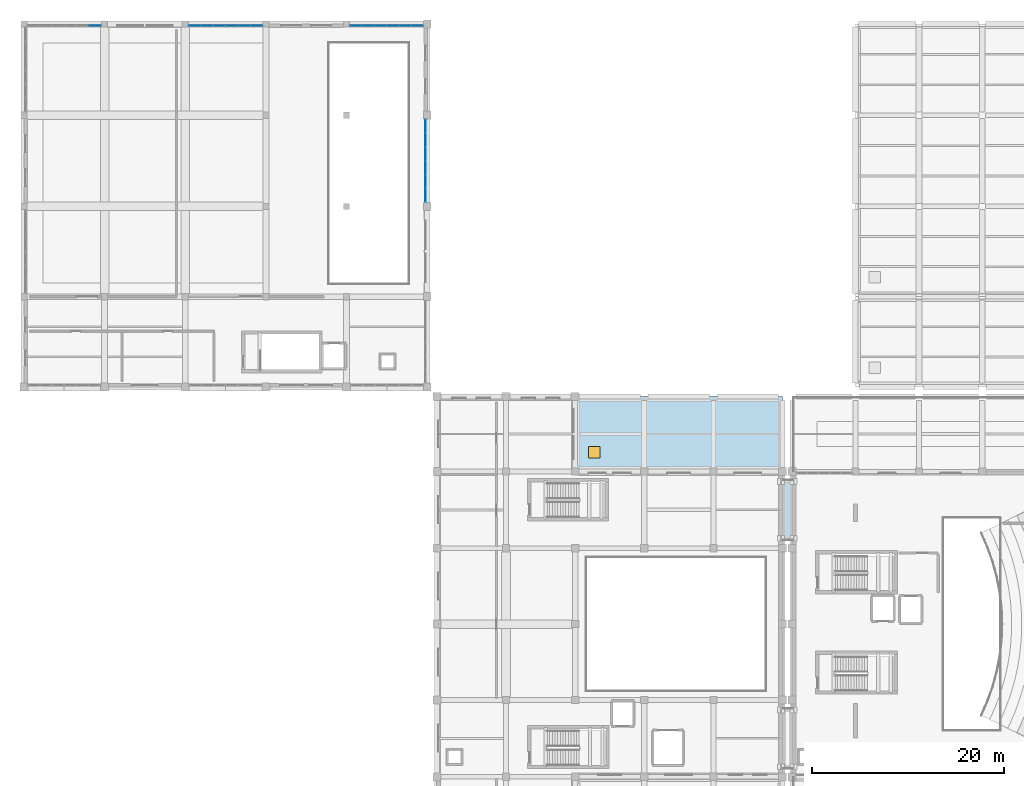
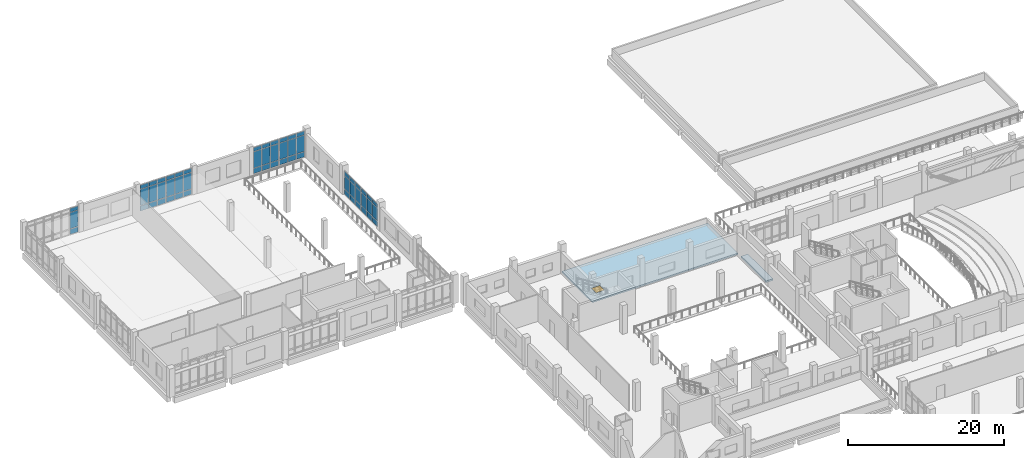
# One storey, part 32 of 54: 57 plates, 2 slabs, 1 window, 1 opening, 7 elements without a shape of their own.
"""IFC4 building model written with IfcOpenShell, lengths in metres."""

import ifcopenshell
import ifcopenshell.guid

model = None  # the IFC model being written
_history = None  # IfcOwnerHistory: only IFC2X3 demands one
_inside = {}  # id of a spatial element -> (the spatial element, [elements in it])
_under = {}  # id of a project, library or spatial element -> (it, [spatial elements below it])
_declared = {}  # id of a project -> (the project, [libraries it declares])
_typed = {}  # id of a type object -> (the type object, [elements of that type])
_made_of = {}  # id of a material, layer set ... -> (it, [elements and type objects made of it])


def new_model(schema):
    """Start an empty IFC model of exactly this schema.

    Asked for "IFC4X3", IfcOpenShell would pick the latest addendum, in which some entities
    have other attributes; the version numbers below select the first issue.
    IFC2X3 requires an IfcOwnerHistory on every rooted entity: one is made here for all.
    """
    global model, _history
    if schema == "IFC4X3":
        model = ifcopenshell.file(schema_version=(4, 3, 0, 0))
    else:
        model = ifcopenshell.file(schema=schema)
    _inside.clear()
    _under.clear()
    _declared.clear()
    _typed.clear()
    _made_of.clear()
    _history = None
    if model.schema == "IFC2X3":
        org = make("IfcOrganization", Name="unknown")
        user = make(
            "IfcPersonAndOrganization",
            ThePerson=make("IfcPerson", FamilyName="unknown"),
            TheOrganization=org,
        )
        app = make(
            "IfcApplication",
            ApplicationDeveloper=org,
            Version="unknown",
            ApplicationFullName="unknown",
            ApplicationIdentifier="unknown",
        )
        _history = make(
            "IfcOwnerHistory",
            OwningUser=user,
            OwningApplication=app,
            ChangeAction="ADDED",
            CreationDate=0,
        )
    return model


def make(cls, **values):
    """One entity of the class cls with the attributes given. An attribute that is None is left unset."""
    return model.create_entity(
        cls, **{name: value for name, value in values.items() if value is not None}
    )


def rooted(cls, **values):
    """An entity with a GlobalId (a new one), such as an element, a storey or a relation."""
    return make(cls, GlobalId=ifcopenshell.guid.new(), OwnerHistory=_history, **values)


def si_unit(unit_type, name, prefix=None):
    """IfcSIUnit, for example si_unit("LENGTHUNIT", "METRE", prefix="MILLI")."""
    return make("IfcSIUnit", UnitType=unit_type, Prefix=prefix, Name=name)


def assignment(units):
    """IfcUnitAssignment: the units of a project."""
    return None if units is None else make("IfcUnitAssignment", Units=units)


def point(xyz):
    """IfcCartesianPoint."""
    return None if xyz is None else make("IfcCartesianPoint", Coordinates=xyz)


def direction(xyz):
    """IfcDirection."""
    return None if xyz is None else make("IfcDirection", DirectionRatios=xyz)


def frame(location, z_axis=None, x_axis=None):
    """IfcAxis2Placement3D, a coordinate frame: its origin and axes. An axis left out is left unset."""
    return make(
        "IfcAxis2Placement3D",
        Location=point(location),
        Axis=direction(z_axis),
        RefDirection=direction(x_axis),
    )


def frame_2d(location, x_axis=None):
    """IfcAxis2Placement2D, a coordinate frame in the plane: its origin and x axis."""
    return make(
        "IfcAxis2Placement2D", Location=point(location), RefDirection=direction(x_axis)
    )


def origin():
    """The frame at (0, 0, 0) with its axes left unset."""
    return frame((0.0, 0.0, 0.0))


def origin_2d():
    """The frame at (0, 0) in the plane with its x axis left unset."""
    return frame_2d((0.0, 0.0))


def place(relative_to, where):
    """IfcLocalPlacement: puts the frame where relative to a parent placement (None: the world)."""
    return make(
        "IfcLocalPlacement", PlacementRelTo=relative_to, RelativePlacement=where
    )


def context(
    kind, dimensions, precision=None, world=None, true_north=None, identifier=None
):
    """IfcGeometricRepresentationContext, for example the 3D "Model" context."""
    return make(
        "IfcGeometricRepresentationContext",
        ContextIdentifier=identifier,
        ContextType=kind,
        CoordinateSpaceDimension=dimensions,
        Precision=precision,
        WorldCoordinateSystem=world,
        TrueNorth=true_north,
    )


def subcontext(parent, identifier, kind, view, scale=None):
    """IfcGeometricRepresentationSubContext, for example "Body" below "Model"."""
    return make(
        "IfcGeometricRepresentationSubContext",
        ContextIdentifier=identifier,
        ContextType=kind,
        ParentContext=parent,
        TargetScale=scale,
        TargetView=view,
    )


def project(units=None, contexts=None):
    """IfcProject with its units and contexts."""
    return rooted(
        "IfcProject",
        Name="project",
        RepresentationContexts=contexts,
        UnitsInContext=assignment(units),
    )


def spatial(cls, under=None, at=None, **own):
    """A site, building, storey or space (cls), placed at a placement, below another one or the project."""
    s = rooted(cls, ObjectPlacement=at, **own)
    if under is not None:
        _under.setdefault(under.id(), (under, []))[1].append(s)
    return s


def polyline(points):
    """IfcPolyline through the points."""
    return make("IfcPolyline", Points=[point(p) for p in points])


def profile(cls, at=None, kind="AREA", **sizes):
    """A parametric profile (cls). Its sizes go by their IFC names, for example OverallWidth=200.0."""
    return make(cls, ProfileType=kind, Position=at, **sizes)


def rectangle(**sizes):
    """IfcRectangleProfileDef."""
    return profile("IfcRectangleProfileDef", **sizes)


def outline(outer, holes=None, kind="AREA"):
    """IfcArbitraryClosedProfileDef: a profile drawn as a closed curve; with holes, ...WithVoids."""
    if holes is None:
        return make("IfcArbitraryClosedProfileDef", ProfileType=kind, OuterCurve=outer)
    return make(
        "IfcArbitraryProfileDefWithVoids",
        ProfileType=kind,
        OuterCurve=outer,
        InnerCurves=holes,
    )


def extrude(swept, where, along, depth):
    """IfcExtrudedAreaSolid: the profile swept, set in the frame where, extruded along a direction by depth."""
    return make(
        "IfcExtrudedAreaSolid",
        SweptArea=swept,
        Position=where,
        ExtrudedDirection=direction(along),
        Depth=depth,
    )


def shape(context_of_items, identifier, shape_type, items):
    """IfcShapeRepresentation: the items that make up one representation, for example the "Body"."""
    return make(
        "IfcShapeRepresentation",
        ContextOfItems=context_of_items,
        RepresentationIdentifier=identifier,
        RepresentationType=shape_type,
        Items=items,
    )


def material(Name=None, Category=None):
    """IfcMaterial."""
    return make("IfcMaterial", Name=Name, Category=Category)


def layer(
    of_material, thickness, ventilated=None, Name=None, Category=None, Priority=None
):
    """IfcMaterialLayer: one layer of a wall or slab, of a material (None: an air gap)."""
    return make(
        "IfcMaterialLayer",
        Material=of_material,
        LayerThickness=thickness,
        IsVentilated=ventilated,
        Name=Name,
        Category=Category,
        Priority=Priority,
    )


def layer_set(layers, Name=None):
    """IfcMaterialLayerSet."""
    return make("IfcMaterialLayerSet", MaterialLayers=layers, LayerSetName=Name)


def made_of(thing, what):
    """Note that an element or type object is made of a material, layer set ...; save() writes the relation."""
    if what is not None:
        _made_of.setdefault(what.id(), (what, []))[1].append(thing)
    return thing


def type_object(cls, material=None, **own):
    """A type object (cls), such as IfcWallType, which elements share."""
    return made_of(rooted(cls, **own), material)


def element(
    cls,
    number,
    at=None,
    inside=None,
    cuts=None,
    type_object=None,
    material=None,
    context=None,
    identifier="Body",
    shape_type=None,
    held_by="IfcProductDefinitionShape",
    body=None,
    shapes=None,
    **own,
):
    """One element of the class cls, such as IfcWall. Its Tag is "e" and its number.

    at: its placement. inside: the storey or other place that contains it. cuts: it is an
    opening in that element (IfcRelVoidsElement). A single representation is given by context,
    identifier, shape_type and body (its items); several are given by shapes. held_by: the class
    of the entity that holds the representations. save() writes the other relations.
    """
    e = rooted(cls, Tag="e%d" % number, ObjectPlacement=at, **own)
    if body is not None:
        shapes = [shape(context, identifier, shape_type, body)]
    if shapes is not None:
        e.Representation = make(held_by, Representations=shapes)
    if inside is not None:
        _inside.setdefault(inside.id(), (inside, []))[1].append(e)
    if cuts is not None:
        rooted(
            "IfcRelVoidsElement", RelatingBuildingElement=cuts, RelatedOpeningElement=e
        )
    if type_object is not None:
        _typed.setdefault(type_object.id(), (type_object, []))[1].append(e)
    return made_of(e, material)


def fill(opening, filler):
    """IfcRelFillsElement: the door or window that sits in an opening."""
    return rooted(
        "IfcRelFillsElement",
        RelatingOpeningElement=opening,
        RelatedBuildingElement=filler,
    )


def aggregate(whole, parts):
    """IfcRelAggregates: a whole, such as a stair, and the parts it consists of."""
    return rooted("IfcRelAggregates", RelatingObject=whole, RelatedObjects=parts)


def save(model, path):
    """Write the relations noted so far, then the file.

    IfcRelAggregates (storeys below a building ...), IfcRelContainedInSpatialStructure (elements
    in a storey), IfcRelDefinesByType, IfcRelAssociatesMaterial and IfcRelDeclares: one each for
    every whole, place, type object, material and project.
    """
    for whole, parts in _under.values():
        aggregate(whole, parts)
    for where, things in _inside.values():
        rooted(
            "IfcRelContainedInSpatialStructure",
            RelatedElements=things,
            RelatingStructure=where,
        )
    for kind, things in _typed.values():
        rooted("IfcRelDefinesByType", RelatedObjects=things, RelatingType=kind)
    for what, things in _made_of.values():
        rooted("IfcRelAssociatesMaterial", RelatedObjects=things, RelatingMaterial=what)
    for by, libraries in _declared.values():
        rooted("IfcRelDeclares", RelatingContext=by, RelatedDefinitions=libraries)
    model.write(path)


model = new_model("IFC4")

# Units and contexts
model_context = context("Model", 3, precision=1e-05, world=origin(), true_north=direction((0.0, 1.0)))
body_context = subcontext(model_context, "Body", "Model", "MODEL_VIEW")
ifc_project = project(units=[si_unit("LENGTHUNIT", "METRE"), si_unit("AREAUNIT", "SQUARE_METRE"), si_unit("VOLUMEUNIT", "CUBIC_METRE"), si_unit("PLANEANGLEUNIT", "RADIAN"), si_unit("MASSUNIT", "GRAM", prefix="KILO")], contexts=[model_context])

# Site, building, storey
site_placement = place(None, origin())
site = spatial("IfcSite", under=ifc_project, at=site_placement, CompositionType="ELEMENT")
building_placement = place(site_placement, origin())
building = spatial("IfcBuilding", under=site, at=building_placement, Name="Kelarvand Opera House", CompositionType="ELEMENT")
storey_placement = place(building_placement, frame((0.0, 0.0, 15.0)))
storey = spatial("IfcBuildingStorey", under=building, at=storey_placement, Name="L03", CompositionType="ELEMENT", Elevation=15.0)

# Slab, opening, window
ifc_material_1 = material(Name="Concrete C35/45", Category="concrete")
ifc_layer_1 = layer(ifc_material_1, 0.219970703125, Name="Concrete C35/45", Category="concrete")
ifc_layer_set_1 = layer_set([ifc_layer_1], Name="Concrete C35/45")
slab_type_1 = type_object("IfcSlabType", Name="Flat Structural Roof Slab 220", PredefinedType="ROOF", material=ifc_layer_set_1)
slab_1_placement = place(storey_placement, frame((0.0, 0.0, -0.219970703125)))
slab_1 = element("IfcSlab", 1, at=slab_1_placement, inside=storey, type_object=slab_type_1, Name="V2 Flat Roof Slab L03 2", PredefinedType="ROOF", context=body_context, shape_type="SweptSolid", body=[
    extrude(outline(polyline([(66.39990234375, 78.39990234375), (88.0, 78.39990234375), (88.0, 86.199951171875), (66.39990234375, 86.199951171875), (66.39990234375, 78.39990234375)])), origin(), (0.0, 0.0, 1.0), 0.219970703125),
])
opening_placement = place(slab_1_placement, frame((68.39990234375, 80.39990234375, 0.0)))
opening = element("IfcOpeningElement", 2, at=opening_placement, cuts=slab_1, Name="Opening RH-01", PredefinedType="OPENING", context=body_context, shape_type="SweptSolid", body=[
    extrude(rectangle(XDim=1.199951171875, YDim=1.199951171875, at=origin_2d()), frame((0.0, 0.0, -0.010009765625)), (0.0, 0.0, 1.0), 0.239990234375),
])
ifc_material_2 = material(Name="Insulated aluminium roof access hatch", Category="aluminium")
window_type = type_object("IfcWindowType", Name="Insulated Flat-Roof Maintenance Access Hatch 1200x1200", PartitioningType="SINGLE_PANEL", PredefinedType="SKYLIGHT", material=ifc_material_2)
window_placement = place(opening_placement, frame((0.0, 0.0, 0.169921875)))
window = element("IfcWindow", 3, at=window_placement, inside=storey, type_object=window_type, Name="V2 Maintenance Roof Hatch 3", OverallHeight=1.199951171875, OverallWidth=1.199951171875, PartitioningType="SINGLE_PANEL", PredefinedType="SKYLIGHT", context=body_context, shape_type="SweptSolid", body=[
    extrude(rectangle(XDim=1.199951171875, YDim=1.199951171875, at=origin_2d()), origin(), (0.0, 0.0, 1.0), 0.050048828125),
])
fill(opening, window)

# Curtain wall, plates
ifc_material_3 = material(Name="Thermally broken aluminium and low-E glazing", Category="aluminium")
ifc_layer_2 = layer(ifc_material_3, 0.179931640625, Name="Thermally broken aluminium and low-E glazing", Category="aluminium")
ifc_layer_set_2 = layer_set([ifc_layer_2], Name="Thermally broken aluminium and low-E glazing")
curtain_wall_type_1 = type_object("IfcCurtainWallType", Name="Unitised Low-E Curtain Wall 4326x3717 Mod 1350 CWF-20", PredefinedType="USERDEFINED", material=ifc_layer_set_2)
curtain_wall_1_placement = place(storey_placement, origin())
curtain_wall_1 = element("IfcCurtainWall", 4, at=curtain_wall_1_placement, inside=storey, type_object=curtain_wall_type_1, Name="V3 L03 Curtain Wall CWF-20 (87)", ObjectType="UNITISED CURTAIN WALL", PredefinedType="USERDEFINED")
ifc_material_4 = material(Name="Low-E laminated double glazing", Category="glass")
ifc_layer_3 = layer(ifc_material_4, 0.031982421875, Name="Low-E laminated double glazing", Category="glass")
ifc_layer_set_3 = layer_set([ifc_layer_3], Name="Low-E laminated double glazing")
plate_type = type_object("IfcPlateType", Name="Low-E Argon Double Glazed Curtain Panel 32mm", PredefinedType="CURTAIN_PANEL", material=ifc_layer_set_3)
plate_1_placement = place(storey_placement, frame((50.820068359375, 114.3427734375, 0.06494140625), z_axis=(0.0, 0.0, 1.0), x_axis=(0.0, -1.0, 0.0)))
plate_1 = element("IfcPlate", 5, at=plate_1_placement, type_object=plate_type, Name="CWF-20 panel 1.1", PredefinedType="CURTAIN_PANEL", context=body_context, shape_type="SweptSolid", body=[
    extrude(rectangle(XDim=1.344482421875, YDim=0.031982421875, at=origin_2d()), origin(), (0.0, 0.0, 1.0), 0.802490234375),
])
plate_2_placement = place(storey_placement, frame((50.820068359375, 114.3427734375, 0.9326171875), z_axis=(0.0, 0.0, 1.0), x_axis=(0.0, -1.0, 0.0)))
plate_2 = element("IfcPlate", 6, at=plate_2_placement, type_object=plate_type, Name="CWF-20 panel 1.2", PredefinedType="CURTAIN_PANEL", context=body_context, shape_type="SweptSolid", body=[
    extrude(rectangle(XDim=1.344482421875, YDim=0.031982421875, at=origin_2d()), origin(), (0.0, 0.0, 1.0), 2.052001953125),
])
plate_3_placement = place(storey_placement, frame((50.820068359375, 114.3427734375, 3.04931640625), z_axis=(0.0, 0.0, 1.0), x_axis=(0.0, -1.0, 0.0)))
plate_3 = element("IfcPlate", 7, at=plate_3_placement, type_object=plate_type, Name="CWF-20 panel 1.3", PredefinedType="CURTAIN_PANEL", context=body_context, shape_type="SweptSolid", body=[
    extrude(rectangle(XDim=1.344482421875, YDim=0.031982421875, at=origin_2d()), origin(), (0.0, 0.0, 1.0), 0.602783203125),
])
plate_4_placement = place(storey_placement, frame((50.820068359375, 112.9169921875, 0.06494140625), z_axis=(0.0, 0.0, 1.0), x_axis=(0.0, -1.0, 0.0)))
plate_4 = element("IfcPlate", 8, at=plate_4_placement, type_object=plate_type, Name="CWF-20 panel 2.1", PredefinedType="CURTAIN_PANEL", context=body_context, shape_type="SweptSolid", body=[
    extrude(rectangle(XDim=1.376953125, YDim=0.031982421875, at=origin_2d()), origin(), (0.0, 0.0, 1.0), 0.802490234375),
])
plate_5_placement = place(storey_placement, frame((50.820068359375, 112.9169921875, 0.9326171875), z_axis=(0.0, 0.0, 1.0), x_axis=(0.0, -1.0, 0.0)))
plate_5 = element("IfcPlate", 9, at=plate_5_placement, type_object=plate_type, Name="CWF-20 panel 2.2", PredefinedType="CURTAIN_PANEL", context=body_context, shape_type="SweptSolid", body=[
    extrude(rectangle(XDim=1.376953125, YDim=0.031982421875, at=origin_2d()), origin(), (0.0, 0.0, 1.0), 2.052001953125),
])
plate_6_placement = place(storey_placement, frame((50.820068359375, 112.9169921875, 3.04931640625), z_axis=(0.0, 0.0, 1.0), x_axis=(0.0, -1.0, 0.0)))
plate_6 = element("IfcPlate", 10, at=plate_6_placement, type_object=plate_type, Name="CWF-20 panel 2.3", PredefinedType="CURTAIN_PANEL", context=body_context, shape_type="SweptSolid", body=[
    extrude(rectangle(XDim=1.376953125, YDim=0.031982421875, at=origin_2d()), origin(), (0.0, 0.0, 1.0), 0.602783203125),
])
plate_7_placement = place(storey_placement, frame((50.820068359375, 111.4912109375, 0.06494140625), z_axis=(0.0, 0.0, 1.0), x_axis=(0.0, -1.0, 0.0)))
plate_7 = element("IfcPlate", 11, at=plate_7_placement, type_object=plate_type, Name="CWF-20 panel 3.1", PredefinedType="CURTAIN_PANEL", context=body_context, shape_type="SweptSolid", body=[
    extrude(rectangle(XDim=1.344482421875, YDim=0.031982421875, at=origin_2d()), origin(), (0.0, 0.0, 1.0), 0.802490234375),
])
plate_8_placement = place(storey_placement, frame((50.820068359375, 111.4912109375, 0.9326171875), z_axis=(0.0, 0.0, 1.0), x_axis=(0.0, -1.0, 0.0)))
plate_8 = element("IfcPlate", 12, at=plate_8_placement, type_object=plate_type, Name="CWF-20 panel 3.2", PredefinedType="CURTAIN_PANEL", context=body_context, shape_type="SweptSolid", body=[
    extrude(rectangle(XDim=1.344482421875, YDim=0.031982421875, at=origin_2d()), origin(), (0.0, 0.0, 1.0), 2.052001953125),
])
plate_9_placement = place(storey_placement, frame((50.820068359375, 111.4912109375, 3.04931640625), z_axis=(0.0, 0.0, 1.0), x_axis=(0.0, -1.0, 0.0)))
plate_9 = element("IfcPlate", 13, at=plate_9_placement, type_object=plate_type, Name="CWF-20 panel 3.3", PredefinedType="CURTAIN_PANEL", context=body_context, shape_type="SweptSolid", body=[
    extrude(rectangle(XDim=1.344482421875, YDim=0.031982421875, at=origin_2d()), origin(), (0.0, 0.0, 1.0), 0.602783203125),
])
aggregate(curtain_wall_1, [plate_1, plate_2, plate_3, plate_4, plate_5, plate_6, plate_7, plate_8, plate_9])

curtain_wall_2_placement = place(storey_placement, origin())
curtain_wall_2 = element("IfcCurtainWall", 14, at=curtain_wall_2_placement, inside=storey, type_object=curtain_wall_type_1, Name="V3 L03 Curtain Wall CWF-20 (88)", ObjectType="UNITISED CURTAIN WALL", PredefinedType="USERDEFINED")
plate_10_placement = place(storey_placement, frame((50.820068359375, 110.011962890625, 0.06494140625), z_axis=(0.0, 0.0, 1.0), x_axis=(0.0, -1.0, 0.0)))
plate_10 = element("IfcPlate", 15, at=plate_10_placement, type_object=plate_type, Name="CWF-20 panel 1.1", PredefinedType="CURTAIN_PANEL", context=body_context, shape_type="SweptSolid", body=[
    extrude(rectangle(XDim=1.345947265625, YDim=0.031982421875, at=origin_2d()), origin(), (0.0, 0.0, 1.0), 0.802490234375),
])
plate_11_placement = place(storey_placement, frame((50.820068359375, 110.011962890625, 0.9326171875), z_axis=(0.0, 0.0, 1.0), x_axis=(0.0, -1.0, 0.0)))
plate_11 = element("IfcPlate", 16, at=plate_11_placement, type_object=plate_type, Name="CWF-20 panel 1.2", PredefinedType="CURTAIN_PANEL", context=body_context, shape_type="SweptSolid", body=[
    extrude(rectangle(XDim=1.345947265625, YDim=0.031982421875, at=origin_2d()), origin(), (0.0, 0.0, 1.0), 2.052001953125),
])
plate_12_placement = place(storey_placement, frame((50.820068359375, 110.011962890625, 3.04931640625), z_axis=(0.0, 0.0, 1.0), x_axis=(0.0, -1.0, 0.0)))
plate_12 = element("IfcPlate", 17, at=plate_12_placement, type_object=plate_type, Name="CWF-20 panel 1.3", PredefinedType="CURTAIN_PANEL", context=body_context, shape_type="SweptSolid", body=[
    extrude(rectangle(XDim=1.345947265625, YDim=0.031982421875, at=origin_2d()), origin(), (0.0, 0.0, 1.0), 0.602783203125),
])
plate_13_placement = place(storey_placement, frame((50.820068359375, 108.5849609375, 0.06494140625), z_axis=(0.0, 0.0, 1.0), x_axis=(0.0, -1.0, 0.0)))
plate_13 = element("IfcPlate", 18, at=plate_13_placement, type_object=plate_type, Name="CWF-20 panel 2.1", PredefinedType="CURTAIN_PANEL", context=body_context, shape_type="SweptSolid", body=[
    extrude(rectangle(XDim=1.37841796875, YDim=0.031982421875, at=origin_2d()), origin(), (0.0, 0.0, 1.0), 0.802490234375),
])
plate_14_placement = place(storey_placement, frame((50.820068359375, 108.5849609375, 0.9326171875), z_axis=(0.0, 0.0, 1.0), x_axis=(0.0, -1.0, 0.0)))
plate_14 = element("IfcPlate", 19, at=plate_14_placement, type_object=plate_type, Name="CWF-20 panel 2.2", PredefinedType="CURTAIN_PANEL", context=body_context, shape_type="SweptSolid", body=[
    extrude(rectangle(XDim=1.37841796875, YDim=0.031982421875, at=origin_2d()), origin(), (0.0, 0.0, 1.0), 2.052001953125),
])
plate_15_placement = place(storey_placement, frame((50.820068359375, 108.5849609375, 3.04931640625), z_axis=(0.0, 0.0, 1.0), x_axis=(0.0, -1.0, 0.0)))
plate_15 = element("IfcPlate", 20, at=plate_15_placement, type_object=plate_type, Name="CWF-20 panel 2.3", PredefinedType="CURTAIN_PANEL", context=body_context, shape_type="SweptSolid", body=[
    extrude(rectangle(XDim=1.37841796875, YDim=0.031982421875, at=origin_2d()), origin(), (0.0, 0.0, 1.0), 0.602783203125),
])
plate_16_placement = place(storey_placement, frame((50.820068359375, 107.157958984375, 0.06494140625), z_axis=(0.0, 0.0, 1.0), x_axis=(0.0, -1.0, 0.0)))
plate_16 = element("IfcPlate", 21, at=plate_16_placement, type_object=plate_type, Name="CWF-20 panel 3.1", PredefinedType="CURTAIN_PANEL", context=body_context, shape_type="SweptSolid", body=[
    extrude(rectangle(XDim=1.345947265625, YDim=0.031982421875, at=origin_2d()), origin(), (0.0, 0.0, 1.0), 0.802490234375),
])
plate_17_placement = place(storey_placement, frame((50.820068359375, 107.157958984375, 0.9326171875), z_axis=(0.0, 0.0, 1.0), x_axis=(0.0, -1.0, 0.0)))
plate_17 = element("IfcPlate", 22, at=plate_17_placement, type_object=plate_type, Name="CWF-20 panel 3.2", PredefinedType="CURTAIN_PANEL", context=body_context, shape_type="SweptSolid", body=[
    extrude(rectangle(XDim=1.345947265625, YDim=0.031982421875, at=origin_2d()), origin(), (0.0, 0.0, 1.0), 2.052001953125),
])
plate_18_placement = place(storey_placement, frame((50.820068359375, 107.157958984375, 3.04931640625), z_axis=(0.0, 0.0, 1.0), x_axis=(0.0, -1.0, 0.0)))
plate_18 = element("IfcPlate", 23, at=plate_18_placement, type_object=plate_type, Name="CWF-20 panel 3.3", PredefinedType="CURTAIN_PANEL", context=body_context, shape_type="SweptSolid", body=[
    extrude(rectangle(XDim=1.345947265625, YDim=0.031982421875, at=origin_2d()), origin(), (0.0, 0.0, 1.0), 0.602783203125),
])
aggregate(curtain_wall_2, [plate_10, plate_11, plate_12, plate_13, plate_14, plate_15, plate_16, plate_17, plate_18])

ifc_layer_4 = layer(ifc_material_3, 0.179931640625, Name="Thermally broken aluminium and low-E glazing", Category="aluminium")
ifc_layer_set_4 = layer_set([ifc_layer_4], Name="Thermally broken aluminium and low-E glazing")
curtain_wall_type_2 = type_object("IfcCurtainWallType", Name="Unitised Low-E Curtain Wall 3861x4200 Mod 1350 CWF-12", PredefinedType="USERDEFINED", material=ifc_layer_set_4)
curtain_wall_3_placement = place(storey_placement, origin())
curtain_wall_3 = element("IfcCurtainWall", 24, at=curtain_wall_3_placement, inside=storey, type_object=curtain_wall_type_2, Name="V3 L03 Curtain Wall CWF-12 (92)", ObjectType="UNITISED CURTAIN WALL", PredefinedType="USERDEFINED")
plate_19_placement = place(storey_placement, frame((16.404541015625, 124.820068359375, 0.06494140625), z_axis=(0.0, 0.0, 1.0), x_axis=(1.0, 0.0, 0.0)))
plate_19 = element("IfcPlate", 25, at=plate_19_placement, type_object=plate_type, Name="CWF-12 panel 3.1", PredefinedType="CURTAIN_PANEL", context=body_context, shape_type="SweptSolid", body=[
    extrude(rectangle(XDim=1.19091796875, YDim=0.031982421875, at=origin_2d()), origin(), (0.0, 0.0, 1.0), 0.802490234375),
])
plate_20_placement = place(storey_placement, frame((16.404541015625, 124.820068359375, 0.9326171875), z_axis=(0.0, 0.0, 1.0), x_axis=(1.0, 0.0, 0.0)))
plate_20 = element("IfcPlate", 26, at=plate_20_placement, type_object=plate_type, Name="CWF-12 panel 3.2", PredefinedType="CURTAIN_PANEL", context=body_context, shape_type="SweptSolid", body=[
    extrude(rectangle(XDim=1.19091796875, YDim=0.031982421875, at=origin_2d()), origin(), (0.0, 0.0, 1.0), 2.534912109375),
])
plate_21_placement = place(storey_placement, frame((16.404541015625, 124.820068359375, 3.532470703125), z_axis=(0.0, 0.0, 1.0), x_axis=(1.0, 0.0, 0.0)))
plate_21 = element("IfcPlate", 27, at=plate_21_placement, type_object=plate_type, Name="CWF-12 panel 3.3", PredefinedType="CURTAIN_PANEL", context=body_context, shape_type="SweptSolid", body=[
    extrude(rectangle(XDim=1.19091796875, YDim=0.031982421875, at=origin_2d()), origin(), (0.0, 0.0, 1.0), 0.6025390625),
])
aggregate(curtain_wall_3, [plate_19, plate_20, plate_21])

curtain_wall_4_placement = place(storey_placement, origin())
curtain_wall_4 = element("IfcCurtainWall", 28, at=curtain_wall_4_placement, inside=storey, type_object=curtain_wall_type_2, Name="V3 L03 Curtain Wall CWF-12 (93)", ObjectType="UNITISED CURTAIN WALL", PredefinedType="USERDEFINED")
plate_22_placement = place(storey_placement, frame((26.794677734375, 124.820068359375, 0.06494140625), z_axis=(0.0, 0.0, 1.0), x_axis=(1.0, 0.0, 0.0)))
plate_22 = element("IfcPlate", 29, at=plate_22_placement, type_object=plate_type, Name="CWF-12 panel 1.1", PredefinedType="CURTAIN_PANEL", context=body_context, shape_type="SweptSolid", body=[
    extrude(rectangle(XDim=1.189453125, YDim=0.031982421875, at=origin_2d()), origin(), (0.0, 0.0, 1.0), 0.802490234375),
])
plate_23_placement = place(storey_placement, frame((26.794677734375, 124.820068359375, 0.9326171875), z_axis=(0.0, 0.0, 1.0), x_axis=(1.0, 0.0, 0.0)))
plate_23 = element("IfcPlate", 30, at=plate_23_placement, type_object=plate_type, Name="CWF-12 panel 1.2", PredefinedType="CURTAIN_PANEL", context=body_context, shape_type="SweptSolid", body=[
    extrude(rectangle(XDim=1.189453125, YDim=0.031982421875, at=origin_2d()), origin(), (0.0, 0.0, 1.0), 2.534912109375),
])
plate_24_placement = place(storey_placement, frame((26.794677734375, 124.820068359375, 3.532470703125), z_axis=(0.0, 0.0, 1.0), x_axis=(1.0, 0.0, 0.0)))
plate_24 = element("IfcPlate", 31, at=plate_24_placement, type_object=plate_type, Name="CWF-12 panel 1.3", PredefinedType="CURTAIN_PANEL", context=body_context, shape_type="SweptSolid", body=[
    extrude(rectangle(XDim=1.189453125, YDim=0.031982421875, at=origin_2d()), origin(), (0.0, 0.0, 1.0), 0.6025390625),
])
plate_25_placement = place(storey_placement, frame((28.0654296875, 124.820068359375, 0.06494140625), z_axis=(0.0, 0.0, 1.0), x_axis=(1.0, 0.0, 0.0)))
plate_25 = element("IfcPlate", 32, at=plate_25_placement, type_object=plate_type, Name="CWF-12 panel 2.1", PredefinedType="CURTAIN_PANEL", context=body_context, shape_type="SweptSolid", body=[
    extrude(rectangle(XDim=1.221923828125, YDim=0.031982421875, at=origin_2d()), origin(), (0.0, 0.0, 1.0), 0.802490234375),
])
plate_26_placement = place(storey_placement, frame((28.0654296875, 124.820068359375, 0.9326171875), z_axis=(0.0, 0.0, 1.0), x_axis=(1.0, 0.0, 0.0)))
plate_26 = element("IfcPlate", 33, at=plate_26_placement, type_object=plate_type, Name="CWF-12 panel 2.2", PredefinedType="CURTAIN_PANEL", context=body_context, shape_type="SweptSolid", body=[
    extrude(rectangle(XDim=1.221923828125, YDim=0.031982421875, at=origin_2d()), origin(), (0.0, 0.0, 1.0), 2.534912109375),
])
plate_27_placement = place(storey_placement, frame((28.0654296875, 124.820068359375, 3.532470703125), z_axis=(0.0, 0.0, 1.0), x_axis=(1.0, 0.0, 0.0)))
plate_27 = element("IfcPlate", 34, at=plate_27_placement, type_object=plate_type, Name="CWF-12 panel 2.3", PredefinedType="CURTAIN_PANEL", context=body_context, shape_type="SweptSolid", body=[
    extrude(rectangle(XDim=1.221923828125, YDim=0.031982421875, at=origin_2d()), origin(), (0.0, 0.0, 1.0), 0.6025390625),
])
plate_28_placement = place(storey_placement, frame((29.336181640625, 124.820068359375, 0.06494140625), z_axis=(0.0, 0.0, 1.0), x_axis=(1.0, 0.0, 0.0)))
plate_28 = element("IfcPlate", 35, at=plate_28_placement, type_object=plate_type, Name="CWF-12 panel 3.1", PredefinedType="CURTAIN_PANEL", context=body_context, shape_type="SweptSolid", body=[
    extrude(rectangle(XDim=1.189453125, YDim=0.031982421875, at=origin_2d()), origin(), (0.0, 0.0, 1.0), 0.802490234375),
])
plate_29_placement = place(storey_placement, frame((29.336181640625, 124.820068359375, 0.9326171875), z_axis=(0.0, 0.0, 1.0), x_axis=(1.0, 0.0, 0.0)))
plate_29 = element("IfcPlate", 36, at=plate_29_placement, type_object=plate_type, Name="CWF-12 panel 3.2", PredefinedType="CURTAIN_PANEL", context=body_context, shape_type="SweptSolid", body=[
    extrude(rectangle(XDim=1.189453125, YDim=0.031982421875, at=origin_2d()), origin(), (0.0, 0.0, 1.0), 2.534912109375),
])
plate_30_placement = place(storey_placement, frame((29.336181640625, 124.820068359375, 3.532470703125), z_axis=(0.0, 0.0, 1.0), x_axis=(1.0, 0.0, 0.0)))
plate_30 = element("IfcPlate", 37, at=plate_30_placement, type_object=plate_type, Name="CWF-12 panel 3.3", PredefinedType="CURTAIN_PANEL", context=body_context, shape_type="SweptSolid", body=[
    extrude(rectangle(XDim=1.189453125, YDim=0.031982421875, at=origin_2d()), origin(), (0.0, 0.0, 1.0), 0.6025390625),
])
aggregate(curtain_wall_4, [plate_22, plate_23, plate_24, plate_25, plate_26, plate_27, plate_28, plate_29, plate_30])

curtain_wall_5_placement = place(storey_placement, origin())
curtain_wall_5 = element("IfcCurtainWall", 38, at=curtain_wall_5_placement, inside=storey, type_object=curtain_wall_type_2, Name="V3 L03 Curtain Wall CWF-12 (94)", ObjectType="UNITISED CURTAIN WALL", PredefinedType="USERDEFINED")
plate_31_placement = place(storey_placement, frame((30.660400390625, 124.820068359375, 0.06494140625), z_axis=(0.0, 0.0, 1.0), x_axis=(1.0, 0.0, 0.0)))
plate_31 = element("IfcPlate", 39, at=plate_31_placement, type_object=plate_type, Name="CWF-12 panel 1.1", PredefinedType="CURTAIN_PANEL", context=body_context, shape_type="SweptSolid", body=[
    extrude(rectangle(XDim=1.19091796875, YDim=0.031982421875, at=origin_2d()), origin(), (0.0, 0.0, 1.0), 0.802490234375),
])
plate_32_placement = place(storey_placement, frame((30.660400390625, 124.820068359375, 0.9326171875), z_axis=(0.0, 0.0, 1.0), x_axis=(1.0, 0.0, 0.0)))
plate_32 = element("IfcPlate", 40, at=plate_32_placement, type_object=plate_type, Name="CWF-12 panel 1.2", PredefinedType="CURTAIN_PANEL", context=body_context, shape_type="SweptSolid", body=[
    extrude(rectangle(XDim=1.19091796875, YDim=0.031982421875, at=origin_2d()), origin(), (0.0, 0.0, 1.0), 2.534912109375),
])
plate_33_placement = place(storey_placement, frame((30.660400390625, 124.820068359375, 3.532470703125), z_axis=(0.0, 0.0, 1.0), x_axis=(1.0, 0.0, 0.0)))
plate_33 = element("IfcPlate", 41, at=plate_33_placement, type_object=plate_type, Name="CWF-12 panel 1.3", PredefinedType="CURTAIN_PANEL", context=body_context, shape_type="SweptSolid", body=[
    extrude(rectangle(XDim=1.19091796875, YDim=0.031982421875, at=origin_2d()), origin(), (0.0, 0.0, 1.0), 0.6025390625),
])
plate_34_placement = place(storey_placement, frame((31.9326171875, 124.820068359375, 0.06494140625), z_axis=(0.0, 0.0, 1.0), x_axis=(1.0, 0.0, 0.0)))
plate_34 = element("IfcPlate", 42, at=plate_34_placement, type_object=plate_type, Name="CWF-12 panel 2.1", PredefinedType="CURTAIN_PANEL", context=body_context, shape_type="SweptSolid", body=[
    extrude(rectangle(XDim=1.223388671875, YDim=0.031982421875, at=origin_2d()), origin(), (0.0, 0.0, 1.0), 0.802490234375),
])
plate_35_placement = place(storey_placement, frame((31.9326171875, 124.820068359375, 0.9326171875), z_axis=(0.0, 0.0, 1.0), x_axis=(1.0, 0.0, 0.0)))
plate_35 = element("IfcPlate", 43, at=plate_35_placement, type_object=plate_type, Name="CWF-12 panel 2.2", PredefinedType="CURTAIN_PANEL", context=body_context, shape_type="SweptSolid", body=[
    extrude(rectangle(XDim=1.223388671875, YDim=0.031982421875, at=origin_2d()), origin(), (0.0, 0.0, 1.0), 2.534912109375),
])
plate_36_placement = place(storey_placement, frame((31.9326171875, 124.820068359375, 3.532470703125), z_axis=(0.0, 0.0, 1.0), x_axis=(1.0, 0.0, 0.0)))
plate_36 = element("IfcPlate", 44, at=plate_36_placement, type_object=plate_type, Name="CWF-12 panel 2.3", PredefinedType="CURTAIN_PANEL", context=body_context, shape_type="SweptSolid", body=[
    extrude(rectangle(XDim=1.223388671875, YDim=0.031982421875, at=origin_2d()), origin(), (0.0, 0.0, 1.0), 0.6025390625),
])
plate_37_placement = place(storey_placement, frame((33.20458984375, 124.820068359375, 0.06494140625), z_axis=(0.0, 0.0, 1.0), x_axis=(1.0, 0.0, 0.0)))
plate_37 = element("IfcPlate", 45, at=plate_37_placement, type_object=plate_type, Name="CWF-12 panel 3.1", PredefinedType="CURTAIN_PANEL", context=body_context, shape_type="SweptSolid", body=[
    extrude(rectangle(XDim=1.19091796875, YDim=0.031982421875, at=origin_2d()), origin(), (0.0, 0.0, 1.0), 0.802490234375),
])
plate_38_placement = place(storey_placement, frame((33.20458984375, 124.820068359375, 0.9326171875), z_axis=(0.0, 0.0, 1.0), x_axis=(1.0, 0.0, 0.0)))
plate_38 = element("IfcPlate", 46, at=plate_38_placement, type_object=plate_type, Name="CWF-12 panel 3.2", PredefinedType="CURTAIN_PANEL", context=body_context, shape_type="SweptSolid", body=[
    extrude(rectangle(XDim=1.19091796875, YDim=0.031982421875, at=origin_2d()), origin(), (0.0, 0.0, 1.0), 2.534912109375),
])
plate_39_placement = place(storey_placement, frame((33.20458984375, 124.820068359375, 3.532470703125), z_axis=(0.0, 0.0, 1.0), x_axis=(1.0, 0.0, 0.0)))
plate_39 = element("IfcPlate", 47, at=plate_39_placement, type_object=plate_type, Name="CWF-12 panel 3.3", PredefinedType="CURTAIN_PANEL", context=body_context, shape_type="SweptSolid", body=[
    extrude(rectangle(XDim=1.19091796875, YDim=0.031982421875, at=origin_2d()), origin(), (0.0, 0.0, 1.0), 0.6025390625),
])
aggregate(curtain_wall_5, [plate_31, plate_32, plate_33, plate_34, plate_35, plate_36, plate_37, plate_38, plate_39])

ifc_layer_5 = layer(ifc_material_3, 0.179931640625, Name="Thermally broken aluminium and low-E glazing", Category="aluminium")
ifc_layer_set_5 = layer_set([ifc_layer_5], Name="Thermally broken aluminium and low-E glazing")
curtain_wall_type_3 = type_object("IfcCurtainWallType", Name="Unitised Low-E Curtain Wall 3776x4200 Mod 1350 CWF-14", PredefinedType="USERDEFINED", material=ifc_layer_set_5)
curtain_wall_6_placement = place(storey_placement, origin())
curtain_wall_6 = element("IfcCurtainWall", 48, at=curtain_wall_6_placement, inside=storey, type_object=curtain_wall_type_3, Name="V3 L03 Curtain Wall CWF-14 (95)", ObjectType="UNITISED CURTAIN WALL", PredefinedType="USERDEFINED")
plate_40_placement = place(storey_placement, frame((43.587646484375, 124.820068359375, 0.06494140625), z_axis=(0.0, 0.0, 1.0), x_axis=(1.0, 0.0, 0.0)))
plate_40 = element("IfcPlate", 49, at=plate_40_placement, type_object=plate_type, Name="CWF-14 panel 1.1", PredefinedType="CURTAIN_PANEL", context=body_context, shape_type="SweptSolid", body=[
    extrude(rectangle(XDim=1.17529296875, YDim=0.031982421875, at=origin_2d()), origin(), (0.0, 0.0, 1.0), 0.802490234375),
])
plate_41_placement = place(storey_placement, frame((43.587646484375, 124.820068359375, 0.9326171875), z_axis=(0.0, 0.0, 1.0), x_axis=(1.0, 0.0, 0.0)))
plate_41 = element("IfcPlate", 50, at=plate_41_placement, type_object=plate_type, Name="CWF-14 panel 1.2", PredefinedType="CURTAIN_PANEL", context=body_context, shape_type="SweptSolid", body=[
    extrude(rectangle(XDim=1.17529296875, YDim=0.031982421875, at=origin_2d()), origin(), (0.0, 0.0, 1.0), 2.534912109375),
])
plate_42_placement = place(storey_placement, frame((43.587646484375, 124.820068359375, 3.532470703125), z_axis=(0.0, 0.0, 1.0), x_axis=(1.0, 0.0, 0.0)))
plate_42 = element("IfcPlate", 51, at=plate_42_placement, type_object=plate_type, Name="CWF-14 panel 1.3", PredefinedType="CURTAIN_PANEL", context=body_context, shape_type="SweptSolid", body=[
    extrude(rectangle(XDim=1.17529296875, YDim=0.031982421875, at=origin_2d()), origin(), (0.0, 0.0, 1.0), 0.6025390625),
])
plate_43_placement = place(storey_placement, frame((44.84423828125, 124.820068359375, 0.06494140625), z_axis=(0.0, 0.0, 1.0), x_axis=(1.0, 0.0, 0.0)))
plate_43 = element("IfcPlate", 52, at=plate_43_placement, type_object=plate_type, Name="CWF-14 panel 2.1", PredefinedType="CURTAIN_PANEL", context=body_context, shape_type="SweptSolid", body=[
    extrude(rectangle(XDim=1.207763671875, YDim=0.031982421875, at=origin_2d()), origin(), (0.0, 0.0, 1.0), 0.802490234375),
])
plate_44_placement = place(storey_placement, frame((44.84423828125, 124.820068359375, 0.9326171875), z_axis=(0.0, 0.0, 1.0), x_axis=(1.0, 0.0, 0.0)))
plate_44 = element("IfcPlate", 53, at=plate_44_placement, type_object=plate_type, Name="CWF-14 panel 2.2", PredefinedType="CURTAIN_PANEL", context=body_context, shape_type="SweptSolid", body=[
    extrude(rectangle(XDim=1.207763671875, YDim=0.031982421875, at=origin_2d()), origin(), (0.0, 0.0, 1.0), 2.534912109375),
])
plate_45_placement = place(storey_placement, frame((44.84423828125, 124.820068359375, 3.532470703125), z_axis=(0.0, 0.0, 1.0), x_axis=(1.0, 0.0, 0.0)))
plate_45 = element("IfcPlate", 54, at=plate_45_placement, type_object=plate_type, Name="CWF-14 panel 2.3", PredefinedType="CURTAIN_PANEL", context=body_context, shape_type="SweptSolid", body=[
    extrude(rectangle(XDim=1.207763671875, YDim=0.031982421875, at=origin_2d()), origin(), (0.0, 0.0, 1.0), 0.6025390625),
])
plate_46_placement = place(storey_placement, frame((46.100830078125, 124.820068359375, 0.06494140625), z_axis=(0.0, 0.0, 1.0), x_axis=(1.0, 0.0, 0.0)))
plate_46 = element("IfcPlate", 55, at=plate_46_placement, type_object=plate_type, Name="CWF-14 panel 3.1", PredefinedType="CURTAIN_PANEL", context=body_context, shape_type="SweptSolid", body=[
    extrude(rectangle(XDim=1.17529296875, YDim=0.031982421875, at=origin_2d()), origin(), (0.0, 0.0, 1.0), 0.802490234375),
])
plate_47_placement = place(storey_placement, frame((46.100830078125, 124.820068359375, 0.9326171875), z_axis=(0.0, 0.0, 1.0), x_axis=(1.0, 0.0, 0.0)))
plate_47 = element("IfcPlate", 56, at=plate_47_placement, type_object=plate_type, Name="CWF-14 panel 3.2", PredefinedType="CURTAIN_PANEL", context=body_context, shape_type="SweptSolid", body=[
    extrude(rectangle(XDim=1.17529296875, YDim=0.031982421875, at=origin_2d()), origin(), (0.0, 0.0, 1.0), 2.534912109375),
])
plate_48_placement = place(storey_placement, frame((46.100830078125, 124.820068359375, 3.532470703125), z_axis=(0.0, 0.0, 1.0), x_axis=(1.0, 0.0, 0.0)))
plate_48 = element("IfcPlate", 57, at=plate_48_placement, type_object=plate_type, Name="CWF-14 panel 3.3", PredefinedType="CURTAIN_PANEL", context=body_context, shape_type="SweptSolid", body=[
    extrude(rectangle(XDim=1.17529296875, YDim=0.031982421875, at=origin_2d()), origin(), (0.0, 0.0, 1.0), 0.6025390625),
])
aggregate(curtain_wall_6, [plate_40, plate_41, plate_42, plate_43, plate_44, plate_45, plate_46, plate_47, plate_48])

curtain_wall_7_placement = place(storey_placement, origin())
curtain_wall_7 = element("IfcCurtainWall", 58, at=curtain_wall_7_placement, inside=storey, type_object=curtain_wall_type_3, Name="V3 L03 Curtain Wall CWF-14 (96)", ObjectType="UNITISED CURTAIN WALL", PredefinedType="USERDEFINED")
plate_49_placement = place(storey_placement, frame((47.410888671875, 124.820068359375, 0.06494140625), z_axis=(0.0, 0.0, 1.0), x_axis=(1.0, 0.0, 0.0)))
plate_49 = element("IfcPlate", 59, at=plate_49_placement, type_object=plate_type, Name="CWF-14 panel 1.1", PredefinedType="CURTAIN_PANEL", context=body_context, shape_type="SweptSolid", body=[
    extrude(rectangle(XDim=1.1767578125, YDim=0.031982421875, at=origin_2d()), origin(), (0.0, 0.0, 1.0), 0.802490234375),
])
plate_50_placement = place(storey_placement, frame((47.410888671875, 124.820068359375, 0.9326171875), z_axis=(0.0, 0.0, 1.0), x_axis=(1.0, 0.0, 0.0)))
plate_50 = element("IfcPlate", 60, at=plate_50_placement, type_object=plate_type, Name="CWF-14 panel 1.2", PredefinedType="CURTAIN_PANEL", context=body_context, shape_type="SweptSolid", body=[
    extrude(rectangle(XDim=1.1767578125, YDim=0.031982421875, at=origin_2d()), origin(), (0.0, 0.0, 1.0), 2.534912109375),
])
plate_51_placement = place(storey_placement, frame((47.410888671875, 124.820068359375, 3.532470703125), z_axis=(0.0, 0.0, 1.0), x_axis=(1.0, 0.0, 0.0)))
plate_51 = element("IfcPlate", 61, at=plate_51_placement, type_object=plate_type, Name="CWF-14 panel 1.3", PredefinedType="CURTAIN_PANEL", context=body_context, shape_type="SweptSolid", body=[
    extrude(rectangle(XDim=1.1767578125, YDim=0.031982421875, at=origin_2d()), origin(), (0.0, 0.0, 1.0), 0.6025390625),
])
plate_52_placement = place(storey_placement, frame((48.668701171875, 124.820068359375, 0.06494140625), z_axis=(0.0, 0.0, 1.0), x_axis=(1.0, 0.0, 0.0)))
plate_52 = element("IfcPlate", 62, at=plate_52_placement, type_object=plate_type, Name="CWF-14 panel 2.1", PredefinedType="CURTAIN_PANEL", context=body_context, shape_type="SweptSolid", body=[
    extrude(rectangle(XDim=1.209228515625, YDim=0.031982421875, at=origin_2d()), origin(), (0.0, 0.0, 1.0), 0.802490234375),
])
plate_53_placement = place(storey_placement, frame((48.668701171875, 124.820068359375, 0.9326171875), z_axis=(0.0, 0.0, 1.0), x_axis=(1.0, 0.0, 0.0)))
plate_53 = element("IfcPlate", 63, at=plate_53_placement, type_object=plate_type, Name="CWF-14 panel 2.2", PredefinedType="CURTAIN_PANEL", context=body_context, shape_type="SweptSolid", body=[
    extrude(rectangle(XDim=1.209228515625, YDim=0.031982421875, at=origin_2d()), origin(), (0.0, 0.0, 1.0), 2.534912109375),
])
plate_54_placement = place(storey_placement, frame((48.668701171875, 124.820068359375, 3.532470703125), z_axis=(0.0, 0.0, 1.0), x_axis=(1.0, 0.0, 0.0)))
plate_54 = element("IfcPlate", 64, at=plate_54_placement, type_object=plate_type, Name="CWF-14 panel 2.3", PredefinedType="CURTAIN_PANEL", context=body_context, shape_type="SweptSolid", body=[
    extrude(rectangle(XDim=1.209228515625, YDim=0.031982421875, at=origin_2d()), origin(), (0.0, 0.0, 1.0), 0.6025390625),
])
plate_55_placement = place(storey_placement, frame((49.9267578125, 124.820068359375, 0.06494140625), z_axis=(0.0, 0.0, 1.0), x_axis=(1.0, 0.0, 0.0)))
plate_55 = element("IfcPlate", 65, at=plate_55_placement, type_object=plate_type, Name="CWF-14 panel 3.1", PredefinedType="CURTAIN_PANEL", context=body_context, shape_type="SweptSolid", body=[
    extrude(rectangle(XDim=1.1767578125, YDim=0.031982421875, at=origin_2d()), origin(), (0.0, 0.0, 1.0), 0.802490234375),
])
plate_56_placement = place(storey_placement, frame((49.9267578125, 124.820068359375, 0.9326171875), z_axis=(0.0, 0.0, 1.0), x_axis=(1.0, 0.0, 0.0)))
plate_56 = element("IfcPlate", 66, at=plate_56_placement, type_object=plate_type, Name="CWF-14 panel 3.2", PredefinedType="CURTAIN_PANEL", context=body_context, shape_type="SweptSolid", body=[
    extrude(rectangle(XDim=1.1767578125, YDim=0.031982421875, at=origin_2d()), origin(), (0.0, 0.0, 1.0), 2.534912109375),
])
plate_57_placement = place(storey_placement, frame((49.9267578125, 124.820068359375, 3.532470703125), z_axis=(0.0, 0.0, 1.0), x_axis=(1.0, 0.0, 0.0)))
plate_57 = element("IfcPlate", 67, at=plate_57_placement, type_object=plate_type, Name="CWF-14 panel 3.3", PredefinedType="CURTAIN_PANEL", context=body_context, shape_type="SweptSolid", body=[
    extrude(rectangle(XDim=1.1767578125, YDim=0.031982421875, at=origin_2d()), origin(), (0.0, 0.0, 1.0), 0.6025390625),
])
aggregate(curtain_wall_7, [plate_49, plate_50, plate_51, plate_52, plate_53, plate_54, plate_55, plate_56, plate_57])

# Slab
ifc_layer_6 = layer(ifc_material_1, 0.260009765625, Name="Concrete C35/45", Category="concrete")
ifc_layer_set_6 = layer_set([ifc_layer_6], Name="Concrete C35/45")
slab_type_2 = type_object("IfcSlabType", Name="Seismic Bridge Deck Slab 260", PredefinedType="FLOOR", material=ifc_layer_set_6)
slab_2_placement = place(storey_placement, frame((0.0, 0.0, -0.260009765625)))
element("IfcSlab", 68, at=slab_2_placement, inside=storey, type_object=slab_type_2, Name="Seismic Joint Sliding Bridge BR-JP-N L03", PredefinedType="FLOOR", context=body_context, shape_type="SweptSolid", body=[
    extrude(outline(polyline([(88.0, 71.199951171875), (89.0, 71.199951171875), (89.0, 77.60009765625), (88.0, 77.60009765625), (88.0, 71.199951171875)])), origin(), (0.0, 0.0, 1.0), 0.260009765625),
])

save(model, "model.ifc")
